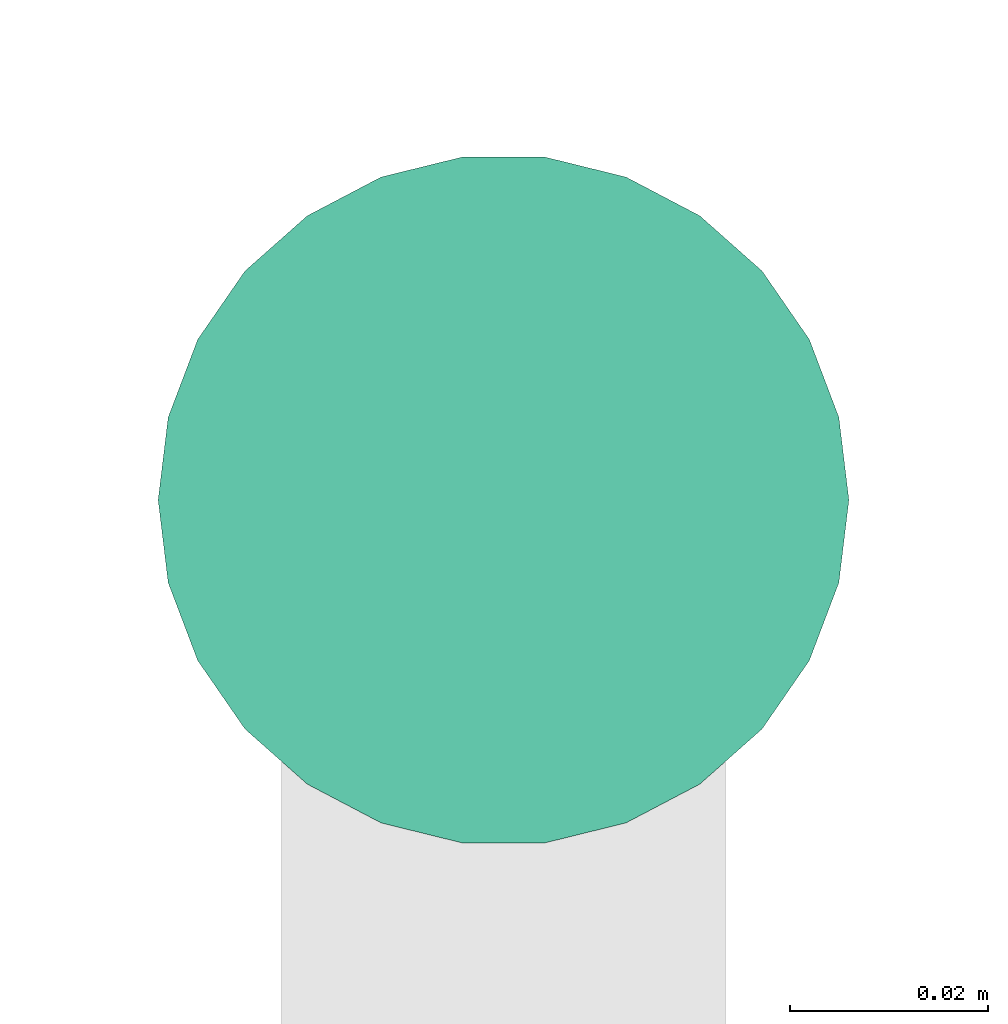
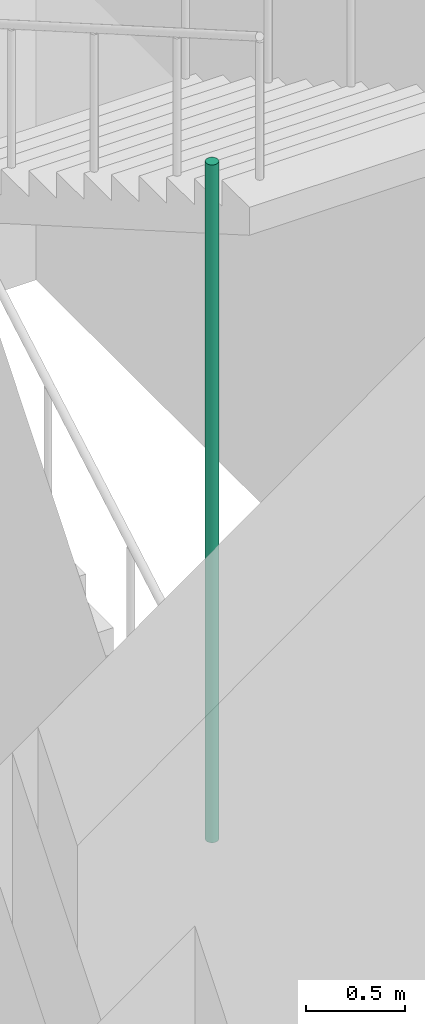
# One storey, part 23 of 27: 1 pipe segment.
"""IFC4 building model written with IfcOpenShell, lengths in metres."""

from ifc_helpers import new_model, si_unit, direction, frame, origin, origin_2d, place, context, subcontext, project, spatial, circle, extrude, element, save


model = new_model("IFC4")

# Units and contexts
model_context = context("Model", 3, precision=1e-05, world=origin(), true_north=direction((0.0, 1.0)))
body_context = subcontext(model_context, "Body", "Model", "MODEL_VIEW")
ifc_project = project(units=[si_unit("LENGTHUNIT", "METRE"), si_unit("AREAUNIT", "SQUARE_METRE"), si_unit("VOLUMEUNIT", "CUBIC_METRE"), si_unit("PLANEANGLEUNIT", "RADIAN"), si_unit("MASSUNIT", "GRAM", prefix="KILO")], contexts=[model_context])

# Site, building, storey
site_placement = place(None, origin())
site = spatial("IfcSite", under=ifc_project, at=site_placement, CompositionType="ELEMENT")
building_placement = place(site_placement, origin())
building = spatial("IfcBuilding", under=site, at=building_placement, Name="Nzadi Deep Aquarium and Research Tower", CompositionType="ELEMENT")
storey_placement = place(building_placement, frame((0.0, 0.0, 69.699951171875)))
storey = spatial("IfcBuildingStorey", under=building, at=storey_placement, Name="L14", CompositionType="ELEMENT", Elevation=69.699951171875)

# Pipe segment
pipe_segment_placement = place(storey_placement, frame((2.300048828125, 12.320068359375, 0.0), z_axis=(0.0, 0.0, 1.0), x_axis=(1.0, 0.0, 0.0)))
element("IfcPipeSegment", 1, at=pipe_segment_placement, inside=storey, Name="Dry riser ST-Z1-SW L14", PredefinedType="RIGIDSEGMENT", context=body_context, shape_type="SweptSolid", body=[
    extrude(circle(Radius=0.034912109375, at=origin_2d()), origin(), (0.0, 0.0, 1.0), 4.199951171875),
])

save(model, "model.ifc")
